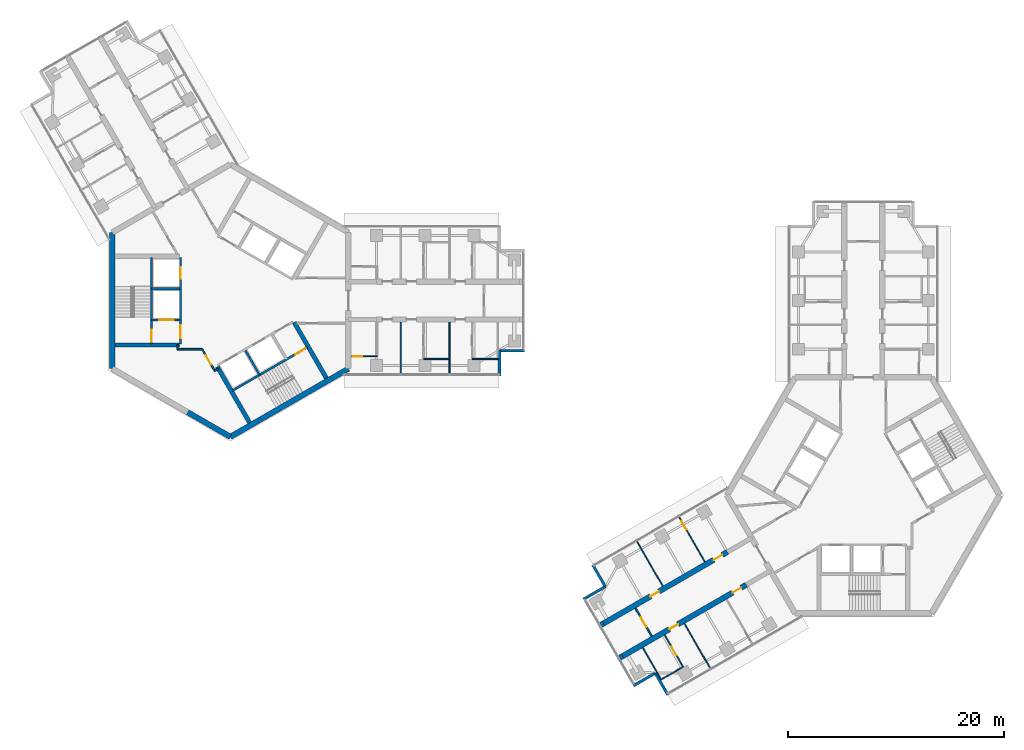
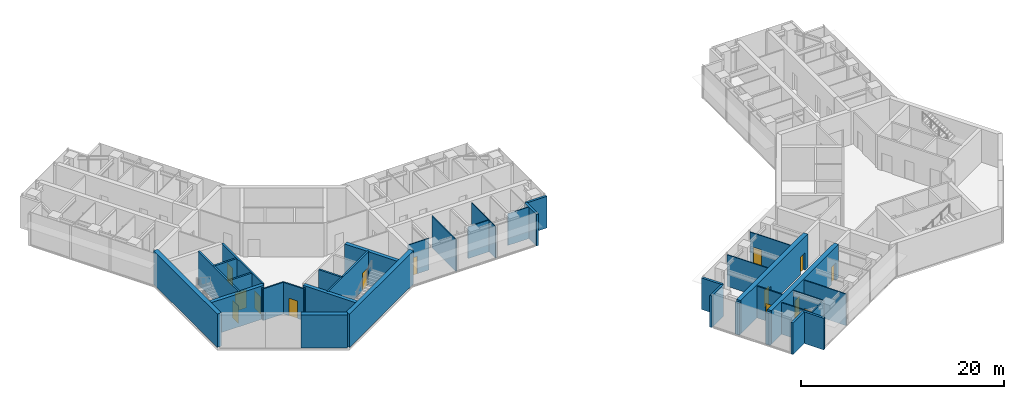
# One storey, part 11 of 17: 38 walls, 14 doors, 14 openings.
"""IFC4 building model written with IfcOpenShell, lengths in metres."""

from ifc_helpers import new_model, si_unit, direction, frame, frame_2d, origin, place, context, subcontext, project, spatial, rectangle, extrude, material, layer, layer_set, type_object, element, fill, save


model = new_model("IFC4")

# Units and contexts
model_context = context("Model", 3, precision=1e-05, world=origin(), true_north=direction((0.0, 1.0)))
body_context = subcontext(model_context, "Body", "Model", "MODEL_VIEW")
ifc_project = project(units=[si_unit("LENGTHUNIT", "METRE"), si_unit("AREAUNIT", "SQUARE_METRE"), si_unit("VOLUMEUNIT", "CUBIC_METRE"), si_unit("PLANEANGLEUNIT", "RADIAN"), si_unit("MASSUNIT", "GRAM", prefix="KILO")], contexts=[model_context])

# Site, building, storey
site_placement = place(None, origin())
site = spatial("IfcSite", under=ifc_project, at=site_placement, CompositionType="ELEMENT")
building_placement = place(site_placement, origin())
building = spatial("IfcBuilding", under=site, at=building_placement, Name="Upepo Twin Towers", CompositionType="ELEMENT")
storey_placement = place(building_placement, frame((0.0, 0.0, 230.5)))
storey = spatial("IfcBuildingStorey", under=building, at=storey_placement, Name="L56", CompositionType="ELEMENT", Elevation=230.5)

# Walls
ifc_material_1 = material(Name="Dense concrete blockwork", Category="masonry")
ifc_layer_1 = layer(ifc_material_1, 0.5)
ifc_layer_set_1 = layer_set([ifc_layer_1], Name="Buttress closer 500, blockwork with fire-stopping to the curtain wall")
wall_type_1 = type_object("IfcWallType", Name="Buttress closer 500, blockwork with fire-stopping to the curtain wall", PredefinedType="PARTITIONING", material=ifc_layer_set_1)
for number, where, z_axis, x_axis, name in (
    (1, (36.252197265625, -32.865478515625, 0.0), (0.0, 0.0, 1.0), (-0.86598763626, -0.500065409566, 0.0), "T2 L56 wing B buttress closer L"),
    (2, (34.502197265625, -29.83447265625, 0.0), (0.0, 0.0, 1.0), (-0.86598763626, -0.500065409566, 0.0), "T2 L56 wing B buttress closer R"),
):
    element("IfcWall", number, at=place(storey_placement, frame(where, z_axis=z_axis, x_axis=x_axis)), inside=storey, type_object=wall_type_1, Name=name, PredefinedType="PARTITIONING", context=body_context, shape_type="SweptSolid", body=[
        extrude(rectangle(XDim=0.28759765625, YDim=0.5, at=frame_2d((0.143798828125, 0.0))), origin(), (0.0, 0.0, 1.0), 3.800048828125),
    ])

# Wall, openings, doors
ifc_material_2 = material(Name="Concrete C60/75", Category="concrete")
ifc_layer_2 = layer(ifc_material_2, 0.5)
ifc_layer_set_2 = layer_set([ifc_layer_2], Name="Concrete C60/75")
wall_type_2 = type_object("IfcWallType", Name="Buttress wall 500 RC", PredefinedType="SHEAR", material=ifc_layer_set_2)
wall_1_placement = place(storey_placement, frame((47.68359375, -26.265625, 0.0), z_axis=(0.0, 0.0, 1.0), x_axis=(-0.866027579429, -0.499996231654, 0.0)))
wall_1 = element("IfcWall", 3, at=wall_1_placement, inside=storey, type_object=wall_type_2, Name="T2 wing B buttress wall L part 2", PredefinedType="SHEAR", context=body_context, shape_type="SweptSolid", body=[
    extrude(rectangle(XDim=13.19970703125, YDim=0.5, at=frame_2d((6.599853515625, 0.0))), origin(), (0.0, 0.0, 1.0), 4.0),
])
opening_1_placement = place(wall_1_placement, frame((0.550048828125, 0.0, 0.0)))
opening_1 = element("IfcOpeningElement", 4, at=opening_1_placement, cuts=wall_1, Name="Opening D14", PredefinedType="OPENING", context=body_context, shape_type="SweptSolid", body=[
    extrude(rectangle(XDim=0.89990234375, YDim=2.10009765625, at=frame_2d((0.449951171875, 1.050048828125))), frame((0.0, 0.260009765625, 0.0), z_axis=(0.0, -1.0, 0.0), x_axis=(1.0, 0.0, 0.0)), (0.0, 0.0, 1.0), 0.52001953125),
])
opening_2_placement = place(wall_1_placement, frame((7.300048828125, 0.0, 0.0)))
opening_2 = element("IfcOpeningElement", 5, at=opening_2_placement, cuts=wall_1, Name="Opening D14", PredefinedType="OPENING", context=body_context, shape_type="SweptSolid", body=[
    extrude(rectangle(XDim=0.89990234375, YDim=2.10009765625, at=frame_2d((0.449951171875, 1.050048828125))), frame((0.0, 0.260009765625, 0.0), z_axis=(0.0, -1.0, 0.0), x_axis=(1.0, 0.0, 0.0)), (0.0, 0.0, 1.0), 0.52001953125),
])
ifc_material_3 = material(Name="Timber doorset", Category="wood")
door_type_1 = type_object("IfcDoorType", Name="Office door 900 FD30", OperationType="SINGLE_SWING_LEFT", PredefinedType="DOOR", material=ifc_material_3)
door_1_placement = place(opening_1_placement, origin())
door_1 = element("IfcDoor", 6, at=door_1_placement, inside=storey, type_object=door_type_1, Name="T2 L56 staff office door", OperationType="SINGLE_SWING_LEFT", OverallHeight=2.10009765625, OverallWidth=0.89990234375, PredefinedType="DOOR", context=body_context, shape_type="SweptSolid", body=[
    extrude(rectangle(XDim=0.89990234375, YDim=2.10009765625, at=frame_2d((0.449951171875, 1.050048828125))), frame((0.0, 0.02490234375, 0.0), z_axis=(0.0, -1.0, 0.0), x_axis=(1.0, 0.0, 0.0)), (0.0, 0.0, 1.0), 0.050048828125),
])
fill(opening_1, door_1)
door_2_placement = place(opening_2_placement, origin())
door_2 = element("IfcDoor", 7, at=door_2_placement, inside=storey, type_object=door_type_1, Name="T2 L56 staff office door", OperationType="SINGLE_SWING_RIGHT", OverallHeight=2.10009765625, OverallWidth=0.89990234375, PredefinedType="DOOR", context=body_context, shape_type="SweptSolid", body=[
    extrude(rectangle(XDim=0.89990234375, YDim=2.10009765625, at=frame_2d((0.449951171875, 1.050048828125))), frame((0.0, 0.02490234375, 0.0), z_axis=(0.0, -1.0, 0.0), x_axis=(1.0, 0.0, 0.0)), (0.0, 0.0, 1.0), 0.050048828125),
])
fill(opening_2, door_2)

wall_2_placement = place(storey_placement, frame((45.93359375, -23.234375, 0.0), z_axis=(0.0, 0.0, 1.0), x_axis=(-0.866019570528, -0.500010103361, 0.0)))
wall_2 = element("IfcWall", 8, at=wall_2_placement, inside=storey, type_object=wall_type_2, Name="T2 wing B buttress wall R part 2", PredefinedType="SHEAR", context=body_context, shape_type="SweptSolid", body=[
    extrude(rectangle(XDim=13.199951171875, YDim=0.5, at=frame_2d((6.60009765625, 0.0))), origin(), (0.0, 0.0, 1.0), 4.0),
])
opening_3_placement = place(wall_2_placement, frame((0.550048828125, 0.0, 0.0)))
opening_3 = element("IfcOpeningElement", 9, at=opening_3_placement, cuts=wall_2, Name="Opening D14", PredefinedType="OPENING", context=body_context, shape_type="SweptSolid", body=[
    extrude(rectangle(XDim=0.89990234375, YDim=2.10009765625, at=frame_2d((0.449951171875, 1.050048828125))), frame((0.0, 0.260009765625, 0.0), z_axis=(0.0, -1.0, 0.0), x_axis=(1.0, 0.0, 0.0)), (0.0, 0.0, 1.0), 0.52001953125),
])
opening_4_placement = place(wall_2_placement, frame((7.300048828125, 0.0, 0.0)))
opening_4 = element("IfcOpeningElement", 10, at=opening_4_placement, cuts=wall_2, Name="Opening D14", PredefinedType="OPENING", context=body_context, shape_type="SweptSolid", body=[
    extrude(rectangle(XDim=0.89990234375, YDim=2.10009765625, at=frame_2d((0.449951171875, 1.050048828125))), frame((0.0, 0.260009765625, 0.0), z_axis=(0.0, -1.0, 0.0), x_axis=(1.0, 0.0, 0.0)), (0.0, 0.0, 1.0), 0.52001953125),
])
door_3_placement = place(opening_3_placement, origin())
door_3 = element("IfcDoor", 11, at=door_3_placement, inside=storey, type_object=door_type_1, Name="T2 L56 postgraduate office door", OperationType="SINGLE_SWING_LEFT", OverallHeight=2.10009765625, OverallWidth=0.89990234375, PredefinedType="DOOR", context=body_context, shape_type="SweptSolid", body=[
    extrude(rectangle(XDim=0.89990234375, YDim=2.10009765625, at=frame_2d((0.449951171875, 1.050048828125))), frame((0.0, 0.02490234375, 0.0), z_axis=(0.0, -1.0, 0.0), x_axis=(1.0, 0.0, 0.0)), (0.0, 0.0, 1.0), 0.050048828125),
])
fill(opening_3, door_3)
door_4_placement = place(opening_4_placement, origin())
door_4 = element("IfcDoor", 12, at=door_4_placement, inside=storey, type_object=door_type_1, Name="T2 L56 meeting room door", OperationType="SINGLE_SWING_RIGHT", OverallHeight=2.10009765625, OverallWidth=0.89990234375, PredefinedType="DOOR", context=body_context, shape_type="SweptSolid", body=[
    extrude(rectangle(XDim=0.89990234375, YDim=2.10009765625, at=frame_2d((0.449951171875, 1.050048828125))), frame((0.0, 0.02490234375, 0.0), z_axis=(0.0, -1.0, 0.0), x_axis=(1.0, 0.0, 0.0)), (0.0, 0.0, 1.0), 0.050048828125),
])
fill(opening_4, door_4)

# Walls
ifc_material_4 = material(Name="Concrete C60/75", Category="concrete")
ifc_layer_3 = layer(ifc_material_4, 0.5)
ifc_layer_set_3 = layer_set([ifc_layer_3], Name="Concrete C60/75")
wall_type_3 = type_object("IfcWallType", Name="Core wall 500 RC", PredefinedType="SHEAR", material=ifc_layer_set_3)
wall_3_placement = place(storey_placement, frame((-10.908447265625, 6.2978515625, 0.0), z_axis=(0.0, 0.0, 1.0), x_axis=(0.0, -1.0, 0.0)))
element("IfcWall", 13, at=wall_3_placement, inside=storey, type_object=wall_type_3, Name="T1 core wall 180", PredefinedType="SHEAR", context=body_context, shape_type="SweptSolid", body=[
    extrude(rectangle(XDim=12.595703125, YDim=0.5, at=frame_2d((6.2978515625, 0.0))), origin(), (0.0, 0.0, 1.0), 4.0),
])
wall_4_placement = place(storey_placement, frame((-3.938720703125, -10.32177734375, 0.0), z_axis=(0.0, 0.0, 1.0), x_axis=(0.866011268655, -0.500024481964, 0.0)))
element("IfcWall", 14, at=wall_4_placement, inside=storey, type_object=wall_type_3, Name="T1 core wall 240 L", PredefinedType="SHEAR", context=body_context, shape_type="SweptSolid", body=[
    extrude(rectangle(XDim=4.548095703125, YDim=0.5, at=frame_2d((2.27392578125, 0.0))), origin(), (0.0, 0.0, 1.0), 4.0),
])
wall_5_placement = place(storey_placement, frame((0.0, -12.595947265625, 0.0), z_axis=(0.0, 0.0, 1.0), x_axis=(0.866021940709, 0.500005998175, 0.0)))
element("IfcWall", 15, at=wall_5_placement, inside=storey, type_object=wall_type_3, Name="T1 core wall 300", PredefinedType="SHEAR", context=body_context, shape_type="SweptSolid", body=[
    extrude(rectangle(XDim=12.595947265625, YDim=0.5, at=frame_2d((6.2978515625, 0.0))), origin(), (0.0, 0.0, 1.0), 4.0),
])
ifc_material_5 = material(Name="Blockwork with anodised aluminium cladding", Category="masonry")
ifc_layer_4 = layer(ifc_material_5, 0.25)
ifc_layer_set_4 = layer_set([ifc_layer_4], Name="Notch cladding wall 250, pale metal")
wall_type_4 = type_object("IfcWallType", Name="Notch cladding wall 250, pale metal", PredefinedType="STANDARD", material=ifc_layer_set_4)
for number, where, z_axis, x_axis, name in (
    (16, (24.875, -6.949951171875, 0.0), (0.0, 0.0, 1.0), (0.0, 1.0, 0.0), "T1 L56 wing A notch wall R1"),
    (17, (24.875, -4.625, 0.0), (0.0, 0.0, 1.0), (1.0, 0.0, 0.0), "T1 L56 wing A notch wall R2"),
    (18, (40.4326171875, -36.456298828125, 0.0), (0.0, 0.0, 1.0), (-0.500046648681, 0.865998469481, 0.0), "T2 L56 wing B notch wall L1"),
    (19, (39.27001953125, -34.44287109375, 0.0), (0.0, 0.0, 1.0), (-0.865998469481, -0.500046648681, 0.0), "T2 L56 wing B notch wall L2"),
    (20, (33.482666015625, -24.418701171875, 0.0), (0.0, 0.0, 1.0), (0.499967891604, -0.866043940782, 0.0), "T2 L56 wing B notch wall R1"),
    (21, (34.64501953125, -26.43212890625, 0.0), (0.0, 0.0, 1.0), (-0.865998469481, -0.500046648681, 0.0), "T2 L56 wing B notch wall R2"),
):
    element("IfcWall", number, at=place(storey_placement, frame(where, z_axis=z_axis, x_axis=x_axis)), inside=storey, type_object=wall_type_4, Name=name, PredefinedType="STANDARD", context=body_context, shape_type="SweptSolid", body=[
        extrude(rectangle(XDim=2.324951171875, YDim=0.25, at=frame_2d((1.16259765625, 0.0))), origin(), (0.0, 0.0, 1.0), 3.800048828125),
    ])
ifc_material_6 = material(Name="Gypsum board on steel studs", Category="steel")
ifc_layer_5 = layer(ifc_material_6, 0.10009765625)
ifc_layer_set_5 = layer_set([ifc_layer_5], Name="Office partition 100 stud")
wall_type_5 = type_object("IfcWallType", Name="Office partition 100 stud", PredefinedType="PARTITIONING", material=ifc_layer_set_5)
for number, where, z_axis, x_axis, name in (
    (22, (15.75, -2.0, 0.0), (0.0, 0.0, 1.0), (0.0, -1.0, 0.0), "T1 partition AR at 15.75"),
    (23, (20.25, -2.0, 0.0), (0.0, 0.0, 1.0), (0.0, -1.0, 0.0), "T1 partition AR at 20.25"),
):
    element("IfcWall", number, at=place(storey_placement, frame(where, z_axis=z_axis, x_axis=x_axis)), inside=storey, type_object=wall_type_5, Name=name, PredefinedType="PARTITIONING", context=body_context, shape_type="SweptSolid", body=[
        extrude(rectangle(XDim=4.75, YDim=0.10009765625, at=frame_2d((2.375, 0.0))), origin(), (0.0, 0.0, 1.0), 3.800048828125),
    ])
for number, where, z_axis, x_axis, name in (
    (24, (17.85009765625, -5.39990234375, 0.0), (0.0, 0.0, 1.0), (1.0, 0.0, 0.0), "T1 inner room partition AR at 17.85"),
    (25, (22.35009765625, -5.39990234375, 0.0), (0.0, 0.0, 1.0), (1.0, 0.0, 0.0), "T1 inner room partition AR at 22.35"),
):
    element("IfcWall", number, at=place(storey_placement, frame(where, z_axis=z_axis, x_axis=x_axis)), inside=storey, type_object=wall_type_5, Name=name, PredefinedType="PARTITIONING", context=body_context, shape_type="SweptSolid", body=[
        extrude(rectangle(XDim=2.39990234375, YDim=0.10009765625, at=frame_2d((1.199951171875, 0.0))), origin(), (0.0, 0.0, 1.0), 3.800048828125),
    ])

# Wall, opening, door
wall_6_placement = place(storey_placement, frame((11.157958984375, -5.14990234375, 0.0), z_axis=(0.0, 0.0, 1.0), x_axis=(1.0, 0.0, 0.0)))
wall_6 = element("IfcWall", 26, at=wall_6_placement, inside=storey, type_object=wall_type_5, Name="T1 WC bay partition AR at 11.16", PredefinedType="PARTITIONING", context=body_context, shape_type="SweptSolid", body=[
    extrude(rectangle(XDim=2.400146484375, YDim=0.10009765625, at=frame_2d((1.2001953125, 0.0))), origin(), (0.0, 0.0, 1.0), 3.800048828125),
])
opening_5_placement = place(wall_6_placement, frame((0.14990234375, 0.0, 0.0)))
opening_5 = element("IfcOpeningElement", 27, at=opening_5_placement, cuts=wall_6, Name="Opening D14", PredefinedType="OPENING", context=body_context, shape_type="SweptSolid", body=[
    extrude(rectangle(XDim=0.89990234375, YDim=2.10009765625, at=frame_2d((0.449951171875, 1.050048828125))), frame((0.0, 0.06005859375, 0.0), z_axis=(0.0, -1.0, 0.0), x_axis=(1.0, 0.0, 0.0)), (0.0, 0.0, 1.0), 0.1201171875),
])
door_5_placement = place(opening_5_placement, origin())
door_5 = element("IfcDoor", 28, at=door_5_placement, inside=storey, type_object=door_type_1, Name="T1 L56 WC bay inner room door", OperationType="SINGLE_SWING_LEFT", OverallHeight=2.10009765625, OverallWidth=0.89990234375, PredefinedType="DOOR", context=body_context, shape_type="SweptSolid", body=[
    extrude(rectangle(XDim=0.89990234375, YDim=2.10009765625, at=frame_2d((0.449951171875, 1.050048828125))), frame((0.0, 0.02490234375, 0.0), z_axis=(0.0, -1.0, 0.0), x_axis=(1.0, 0.0, 0.0)), (0.0, 0.0, 1.0), 0.050048828125),
])
fill(opening_5, door_5)

# Walls
wall_7_placement = place(storey_placement, frame((41.962890625, -29.85693359375, 0.0), z_axis=(0.0, 0.0, 1.0), x_axis=(0.499986429846, -0.866033238375, 0.0)))
element("IfcWall", 29, at=wall_7_placement, inside=storey, type_object=wall_type_5, Name="T2 partition BL at 20.25", PredefinedType="PARTITIONING", context=body_context, shape_type="SweptSolid", body=[
    extrude(rectangle(XDim=4.750244140625, YDim=0.10009765625, at=frame_2d((2.375, 0.0))), origin(), (0.0, 0.0, 1.0), 3.800048828125),
])
wall_8_placement = place(storey_placement, frame((41.84423828125, -33.8515625, 0.0), z_axis=(0.0, 0.0, 1.0), x_axis=(-0.866024647952, -0.500001309137, 0.0)))
element("IfcWall", 30, at=wall_8_placement, inside=storey, type_object=wall_type_5, Name="T2 inner room partition BL at 22.35", PredefinedType="PARTITIONING", context=body_context, shape_type="SweptSolid", body=[
    extrude(rectangle(XDim=2.39990234375, YDim=0.10009765625, at=frame_2d((1.199951171875, 0.0))), origin(), (0.0, 0.0, 1.0), 3.800048828125),
])

# Wall, opening, door
wall_9_placement = place(storey_placement, frame((40.144287109375, -30.906982421875, 0.0), z_axis=(0.0, 0.0, 1.0), x_axis=(0.499977295307, -0.866038511948, 0.0)))
wall_9 = element("IfcWall", 31, at=wall_9_placement, inside=storey, type_object=wall_type_5, Name="T2 inner room partition BL end at 22.35", PredefinedType="PARTITIONING", context=body_context, shape_type="SweptSolid", body=[
    extrude(rectangle(XDim=3.400146484375, YDim=0.10009765625, at=frame_2d((1.7001953125, 0.0))), origin(), (0.0, 0.0, 1.0), 3.800048828125),
])
opening_6_placement = place(wall_9_placement, frame((1.25, 0.0, 0.0)))
opening_6 = element("IfcOpeningElement", 32, at=opening_6_placement, cuts=wall_9, Name="Opening D14", PredefinedType="OPENING", context=body_context, shape_type="SweptSolid", body=[
    extrude(rectangle(XDim=0.89990234375, YDim=2.10009765625, at=frame_2d((0.449951171875, 1.050048828125))), frame((0.0, 0.06005859375, 0.0), z_axis=(0.0, -1.0, 0.0), x_axis=(1.0, 0.0, 0.0)), (0.0, 0.0, 1.0), 0.1201171875),
])
door_6_placement = place(opening_6_placement, origin())
door_6 = element("IfcDoor", 33, at=door_6_placement, inside=storey, type_object=door_type_1, Name="T2 L56 inner room door", OperationType="SINGLE_SWING_LEFT", OverallHeight=2.10009765625, OverallWidth=0.89990234375, PredefinedType="DOOR", context=body_context, shape_type="SweptSolid", body=[
    extrude(rectangle(XDim=0.89990234375, YDim=2.10009765625, at=frame_2d((0.449951171875, 1.050048828125))), frame((0.0, 0.02490234375, 0.0), z_axis=(0.0, -1.0, 0.0), x_axis=(1.0, 0.0, 0.0)), (0.0, 0.0, 1.0), 0.050048828125),
])
fill(opening_6, door_6)

# Wall
wall_10_placement = place(storey_placement, frame((38.109130859375, -32.08203125, 0.0), z_axis=(0.0, 0.0, 1.0), x_axis=(0.499977295307, -0.866038511948, 0.0)))
element("IfcWall", 34, at=wall_10_placement, inside=storey, type_object=wall_type_5, Name="T2 inner room partition BL end at 24.75", PredefinedType="PARTITIONING", context=body_context, shape_type="SweptSolid", body=[
    extrude(rectangle(XDim=3.400146484375, YDim=0.10009765625, at=frame_2d((1.7001953125, 0.0))), origin(), (0.0, 0.0, 1.0), 3.800048828125),
])

# Wall, opening, door
wall_11_placement = place(storey_placement, frame((43.860107421875, -24.14306640625, 0.0), z_axis=(0.0, 0.0, 1.0), x_axis=(-0.499986429846, 0.866033238375, 0.0)))
wall_11 = element("IfcWall", 35, at=wall_11_placement, inside=storey, type_object=wall_type_5, Name="T2 partition BR at 15.75", PredefinedType="PARTITIONING", context=body_context, shape_type="SweptSolid", body=[
    extrude(rectangle(XDim=4.750244140625, YDim=0.10009765625, at=frame_2d((2.375, 0.0))), origin(), (0.0, 0.0, 1.0), 3.800048828125),
])
opening_7_placement = place(wall_11_placement, frame((3.449951171875, 0.0, 0.0)))
opening_7 = element("IfcOpeningElement", 36, at=opening_7_placement, cuts=wall_11, Name="Opening D14", PredefinedType="OPENING", context=body_context, shape_type="SweptSolid", body=[
    extrude(rectangle(XDim=0.89990234375, YDim=2.10009765625, at=frame_2d((0.449951171875, 1.050048828125))), frame((0.0, 0.06005859375, 0.0), z_axis=(0.0, -1.0, 0.0), x_axis=(1.0, 0.0, 0.0)), (0.0, 0.0, 1.0), 0.1201171875),
])
door_7_placement = place(opening_7_placement, origin())
door_7 = element("IfcDoor", 37, at=door_7_placement, inside=storey, type_object=door_type_1, Name="T2 L56 connecting door", OperationType="SINGLE_SWING_RIGHT", OverallHeight=2.10009765625, OverallWidth=0.89990234375, PredefinedType="DOOR", context=body_context, shape_type="SweptSolid", body=[
    extrude(rectangle(XDim=0.89990234375, YDim=2.10009765625, at=frame_2d((0.449951171875, 1.050048828125))), frame((0.0, 0.02490234375, 0.0), z_axis=(0.0, -1.0, 0.0), x_axis=(1.0, 0.0, 0.0)), (0.0, 0.0, 1.0), 0.050048828125),
])
fill(opening_7, door_7)

# Wall
wall_12_placement = place(storey_placement, frame((39.962890625, -26.39306640625, 0.0), z_axis=(0.0, 0.0, 1.0), x_axis=(-0.499986429846, 0.866033238375, 0.0)))
element("IfcWall", 38, at=wall_12_placement, inside=storey, type_object=wall_type_5, Name="T2 partition BR at 20.25", PredefinedType="PARTITIONING", context=body_context, shape_type="SweptSolid", body=[
    extrude(rectangle(XDim=4.750244140625, YDim=0.10009765625, at=frame_2d((2.375, 0.0))), origin(), (0.0, 0.0, 1.0), 3.800048828125),
])

# Wall, openings, doors
ifc_material_7 = material(Name="Concrete C40/50", Category="concrete")
ifc_layer_6 = layer(ifc_material_7, 0.199951171875)
ifc_layer_set_6 = layer_set([ifc_layer_6], Name="Concrete C40/50")
wall_type_6 = type_object("IfcWallType", Name="Shaft wall 200 RC", PredefinedType="SHEAR", material=ifc_layer_set_6)
wall_13_placement = place(storey_placement, frame((-4.60009765625, 4.0, 0.0), z_axis=(0.0, 0.0, 1.0), x_axis=(0.0, -1.0, 0.0)))
wall_13 = element("IfcWall", 39, at=wall_13_placement, inside=storey, type_object=wall_type_6, Name="T1 core W180 front wall", PredefinedType="SHEAR", context=body_context, shape_type="SweptSolid", body=[
    extrude(rectangle(XDim=8.0, YDim=0.199951171875, at=frame_2d((4.0, 0.0))), origin(), (0.0, 0.0, 1.0), 4.0),
])
opening_8_placement = place(wall_13_placement, frame((6.300048828125, 0.0, 0.0)))
opening_8 = element("IfcOpeningElement", 40, at=opening_8_placement, cuts=wall_13, Name="Opening D4", PredefinedType="OPENING", context=body_context, shape_type="SweptSolid", body=[
    extrude(rectangle(XDim=1.199951171875, YDim=2.10009765625, at=frame_2d((0.60009765625, 1.050048828125))), frame((0.0, 0.10986328125, 0.0), z_axis=(0.0, -1.0, 0.0), x_axis=(1.0, 0.0, 0.0)), (0.0, 0.0, 1.0), 0.219970703125),
])
opening_9_placement = place(wall_13_placement, frame((0.89990234375, 0.0, 0.0)))
opening_9 = element("IfcOpeningElement", 41, at=opening_9_placement, cuts=wall_13, Name="Opening LD1", PredefinedType="OPENING", context=body_context, shape_type="SweptSolid", body=[
    extrude(rectangle(XDim=1.10009765625, YDim=2.199951171875, at=frame_2d((0.550048828125, 1.10009765625))), frame((0.0, 0.10986328125, 0.0), z_axis=(0.0, -1.0, 0.0), x_axis=(1.0, 0.0, 0.0)), (0.0, 0.0, 1.0), 0.219970703125),
])
ifc_material_8 = material(Name="Steel doorset", Category="steel")
door_type_2 = type_object("IfcDoorType", Name="Lift landing door 1100", OperationType="DOUBLE_DOOR_SLIDING", PredefinedType="DOOR", material=ifc_material_8)
door_8_placement = place(opening_9_placement, origin())
door_8 = element("IfcDoor", 42, at=door_8_placement, inside=storey, type_object=door_type_2, Name="T1 L56 lift SV1 landing door", OperationType="DOUBLE_DOOR_SLIDING", OverallHeight=2.199951171875, OverallWidth=1.10009765625, PredefinedType="DOOR", context=body_context, shape_type="SweptSolid", body=[
    extrude(rectangle(XDim=1.10009765625, YDim=2.199951171875, at=frame_2d((0.550048828125, 1.10009765625))), frame((0.0, 0.02490234375, 0.0), z_axis=(0.0, -1.0, 0.0), x_axis=(1.0, 0.0, 0.0)), (0.0, 0.0, 1.0), 0.050048828125),
])
fill(opening_9, door_8)
ifc_material_9 = material(Name="Timber doorset", Category="wood")
door_type_3 = type_object("IfcDoorType", Name="Lobby door 1200 FD60", OperationType="SINGLE_SWING_LEFT", PredefinedType="DOOR", material=ifc_material_9)
door_9_placement = place(opening_8_placement, origin())
door_9 = element("IfcDoor", 43, at=door_9_placement, inside=storey, type_object=door_type_3, Name="T1 L56 W180 lobby door", OperationType="SINGLE_SWING_RIGHT", OverallHeight=2.10009765625, OverallWidth=1.199951171875, PredefinedType="DOOR", context=body_context, shape_type="SweptSolid", body=[
    extrude(rectangle(XDim=1.199951171875, YDim=2.10009765625, at=frame_2d((0.60009765625, 1.050048828125))), frame((0.0, 0.02490234375, 0.0), z_axis=(0.0, -1.0, 0.0), x_axis=(1.0, 0.0, 0.0)), (0.0, 0.0, 1.0), 0.050048828125),
])
fill(opening_8, door_9)

# Wall
wall_14_placement = place(storey_placement, frame((-4.699951171875, 1.10009765625, 0.0), z_axis=(0.0, 0.0, 1.0), x_axis=(-1.0, 0.0, 0.0)))
element("IfcWall", 44, at=wall_14_placement, inside=storey, type_object=wall_type_6, Name="T1 core W180 shaft divider", PredefinedType="SHEAR", context=body_context, shape_type="SweptSolid", body=[
    extrude(rectangle(XDim=2.60009765625, YDim=0.199951171875, at=frame_2d((1.300048828125, 0.0))), origin(), (0.0, 0.0, 1.0), 4.0),
])

# Wall, opening, door
wall_15_placement = place(storey_placement, frame((-4.699951171875, -1.800048828125, 0.0), z_axis=(0.0, 0.0, 1.0), x_axis=(-1.0, 0.0, 0.0)))
wall_15 = element("IfcWall", 45, at=wall_15_placement, inside=storey, type_object=wall_type_6, Name="T1 core W180 lobby wall", PredefinedType="SHEAR", context=body_context, shape_type="SweptSolid", body=[
    extrude(rectangle(XDim=2.60009765625, YDim=0.199951171875, at=frame_2d((1.300048828125, 0.0))), origin(), (0.0, 0.0, 1.0), 4.0),
])
opening_10_placement = place(wall_15_placement, frame((0.550048828125, 0.0, 0.0)))
opening_10 = element("IfcOpeningElement", 46, at=opening_10_placement, cuts=wall_15, Name="Opening LD2", PredefinedType="OPENING", context=body_context, shape_type="SweptSolid", body=[
    extrude(rectangle(XDim=1.300048828125, YDim=2.199951171875, at=frame_2d((0.64990234375, 1.10009765625))), frame((0.0, 0.10986328125, 0.0), z_axis=(0.0, -1.0, 0.0), x_axis=(1.0, 0.0, 0.0)), (0.0, 0.0, 1.0), 0.219970703125),
])
ifc_material_10 = material(Name="Steel doorset", Category="steel")
door_type_4 = type_object("IfcDoorType", Name="Firefighting lift landing door 1300", OperationType="DOUBLE_DOOR_SLIDING", PredefinedType="DOOR", material=ifc_material_10)
door_10_placement = place(opening_10_placement, origin())
door_10 = element("IfcDoor", 47, at=door_10_placement, inside=storey, type_object=door_type_4, Name="T1 L56 firefighting lift landing door", OperationType="DOUBLE_DOOR_SLIDING", OverallHeight=2.199951171875, OverallWidth=1.300048828125, PredefinedType="DOOR", context=body_context, shape_type="SweptSolid", body=[
    extrude(rectangle(XDim=1.300048828125, YDim=2.199951171875, at=frame_2d((0.64990234375, 1.10009765625))), frame((0.0, 0.02490234375, 0.0), z_axis=(0.0, -1.0, 0.0), x_axis=(1.0, 0.0, 0.0)), (0.0, 0.0, 1.0), 0.050048828125),
])
fill(opening_10, door_10)

wall_16_placement = place(storey_placement, frame((-7.300048828125, 4.0, 0.0), z_axis=(0.0, 0.0, 1.0), x_axis=(0.0, -1.0, 0.0)))
wall_16 = element("IfcWall", 48, at=wall_16_placement, inside=storey, type_object=wall_type_6, Name="T1 core W180 stair wall", PredefinedType="SHEAR", context=body_context, shape_type="SweptSolid", body=[
    extrude(rectangle(XDim=8.0, YDim=0.199951171875, at=frame_2d((4.0, 0.0))), origin(), (0.0, 0.0, 1.0), 4.0),
])
opening_11_placement = place(wall_16_placement, frame((6.699951171875, 0.0, 0.0)))
opening_11 = element("IfcOpeningElement", 49, at=opening_11_placement, cuts=wall_16, Name="Opening D3", PredefinedType="OPENING", context=body_context, shape_type="SweptSolid", body=[
    extrude(rectangle(XDim=1.10009765625, YDim=2.10009765625, at=frame_2d((0.550048828125, 1.050048828125))), frame((0.0, 0.10986328125, 0.0), z_axis=(0.0, -1.0, 0.0), x_axis=(1.0, 0.0, 0.0)), (0.0, 0.0, 1.0), 0.219970703125),
])
ifc_material_11 = material(Name="Timber doorset", Category="wood")
door_type_5 = type_object("IfcDoorType", Name="Stair door 1100 FD60", OperationType="SINGLE_SWING_LEFT", PredefinedType="DOOR", material=ifc_material_11)
door_11_placement = place(opening_11_placement, origin())
door_11 = element("IfcDoor", 50, at=door_11_placement, inside=storey, type_object=door_type_5, Name="T1 L56 stair door", OperationType="SINGLE_SWING_RIGHT", OverallHeight=2.10009765625, OverallWidth=1.10009765625, PredefinedType="DOOR", context=body_context, shape_type="SweptSolid", body=[
    extrude(rectangle(XDim=1.10009765625, YDim=2.10009765625, at=frame_2d((0.550048828125, 1.050048828125))), frame((0.0, 0.02490234375, 0.0), z_axis=(0.0, -1.0, 0.0), x_axis=(1.0, 0.0, 0.0)), (0.0, 0.0, 1.0), 0.050048828125),
])
fill(opening_11, door_11)

# Wall
wall_17_placement = place(storey_placement, frame((1.3974609375, -4.620361328125, 0.0), z_axis=(0.0, 0.0, 1.0), x_axis=(0.499936506574, -0.866062058628, 0.0)))
element("IfcWall", 51, at=wall_17_placement, inside=storey, type_object=wall_type_6, Name="T1 core W300 shaft divider", PredefinedType="SHEAR", context=body_context, shape_type="SweptSolid", body=[
    extrude(rectangle(XDim=2.599853515625, YDim=0.199951171875, at=frame_2d((1.2998046875, 0.0))), origin(), (0.0, 0.0, 1.0), 4.0),
])

# Wall, opening, door
wall_18_placement = place(storey_placement, frame((0.185791015625, -8.322021484375, 0.0), z_axis=(0.0, 0.0, 1.0), x_axis=(0.866026010844, 0.49999894854, 0.0)))
wall_18 = element("IfcWall", 52, at=wall_18_placement, inside=storey, type_object=wall_type_6, Name="T1 core W300 stair wall", PredefinedType="SHEAR", context=body_context, shape_type="SweptSolid", body=[
    extrude(rectangle(XDim=8.0, YDim=0.199951171875, at=frame_2d((4.0, 0.0))), origin(), (0.0, 0.0, 1.0), 4.0),
])
opening_12_placement = place(wall_18_placement, frame((6.699951171875, 0.0, 0.0)))
opening_12 = element("IfcOpeningElement", 53, at=opening_12_placement, cuts=wall_18, Name="Opening D3", PredefinedType="OPENING", context=body_context, shape_type="SweptSolid", body=[
    extrude(rectangle(XDim=1.10009765625, YDim=2.10009765625, at=frame_2d((0.550048828125, 1.050048828125))), frame((0.0, 0.10986328125, 0.0), z_axis=(0.0, -1.0, 0.0), x_axis=(1.0, 0.0, 0.0)), (0.0, 0.0, 1.0), 0.219970703125),
])
door_12_placement = place(opening_12_placement, origin())
door_12 = element("IfcDoor", 54, at=door_12_placement, inside=storey, type_object=door_type_5, Name="T1 L56 stair door", OperationType="SINGLE_SWING_RIGHT", OverallHeight=2.10009765625, OverallWidth=1.10009765625, PredefinedType="DOOR", context=body_context, shape_type="SweptSolid", body=[
    extrude(rectangle(XDim=1.10009765625, YDim=2.10009765625, at=frame_2d((0.550048828125, 1.050048828125))), frame((0.0, 0.02490234375, 0.0), z_axis=(0.0, -1.0, 0.0), x_axis=(1.0, 0.0, 0.0)), (0.0, 0.0, 1.0), 0.050048828125),
])
fill(opening_12, door_12)

# Walls
ifc_material_12 = material(Name="Concrete C40/50", Category="concrete")
ifc_layer_7 = layer(ifc_material_12, 0.39990234375)
ifc_layer_set_7 = layer_set([ifc_layer_7], Name="Concrete C40/50")
wall_type_7 = type_object("IfcWallType", Name="Shaft wall 400 RC", PredefinedType="SHEAR", material=ifc_layer_set_7)
for number, where, z_axis, x_axis, name in (
    (55, (-4.699951171875, -4.10009765625, 0.0), (0.0, 0.0, 1.0), (-1.0, 0.0, 0.0), "T1 core W180 side wall N"),
    (56, (5.900634765625, -2.020263671875, 0.0), (0.0, 0.0, 1.0), (0.500003832394, -0.86602319114, 0.0), "T1 core W300 side wall N"),
):
    element("IfcWall", number, at=place(storey_placement, frame(where, z_axis=z_axis, x_axis=x_axis)), inside=storey, type_object=wall_type_7, Name=name, PredefinedType="SHEAR", context=body_context, shape_type="SweptSolid", body=[
        extrude(rectangle(XDim=5.95849609375, YDim=0.39990234375, at=frame_2d((2.979248046875, 0.0))), origin(), (0.0, 0.0, 1.0), 4.0),
    ])
wall_19_placement = place(storey_placement, frame((-1.20068359375, -6.120361328125, 0.0), z_axis=(0.0, 0.0, 1.0), x_axis=(0.500021575205, -0.866012946976, 0.0)))
element("IfcWall", 57, at=wall_19_placement, inside=storey, type_object=wall_type_7, Name="T1 core W300 side wall S", PredefinedType="SHEAR", context=body_context, shape_type="SweptSolid", body=[
    extrude(rectangle(XDim=5.958251953125, YDim=0.39990234375, at=frame_2d((2.97900390625, 0.0))), origin(), (0.0, 0.0, 1.0), 4.0),
])

# Wall, opening, door
ifc_material_13 = material(Name="Gypsum board on steel studs", Category="steel")
ifc_layer_8 = layer(ifc_material_13, 0.14990234375)
ifc_layer_set_8 = layer_set([ifc_layer_8], Name="Teaching partition 150 acoustic")
wall_type_8 = type_object("IfcWallType", Name="Teaching partition 150 acoustic", PredefinedType="PARTITIONING", material=ifc_layer_set_8)
wall_20_placement = place(storey_placement, frame((-1.43701171875, -6.5107421875, 0.0), z_axis=(0.0, 0.0, 1.0), x_axis=(-0.500074377092, 0.865982457891, 0.0)))
wall_20 = element("IfcWall", 58, at=wall_20_placement, inside=storey, type_object=wall_type_8, Name="T1 core room partition 1", PredefinedType="PARTITIONING", context=body_context, shape_type="SweptSolid", body=[
    extrude(rectangle(XDim=2.342041015625, YDim=0.14990234375, at=frame_2d((1.1708984375, 0.0))), origin(), (0.0, 0.0, 1.0), 3.800048828125),
])
opening_13_placement = place(wall_20_placement, frame((0.6708984375, 0.0, 0.0)))
opening_13 = element("IfcOpeningElement", 59, at=opening_13_placement, cuts=wall_20, Name="Opening D1", PredefinedType="OPENING", context=body_context, shape_type="SweptSolid", body=[
    extrude(rectangle(XDim=1.0, YDim=2.10009765625, at=frame_2d((0.5, 1.050048828125))), frame((0.0, 0.0849609375, 0.0), z_axis=(0.0, -1.0, 0.0), x_axis=(1.0, 0.0, 0.0)), (0.0, 0.0, 1.0), 0.169921875),
])
ifc_material_14 = material(Name="Timber doorset", Category="wood")
door_type_6 = type_object("IfcDoorType", Name="Room door 1000 FD30", OperationType="SINGLE_SWING_LEFT", PredefinedType="DOOR", material=ifc_material_14)
door_13_placement = place(opening_13_placement, origin())
door_13 = element("IfcDoor", 60, at=door_13_placement, inside=storey, type_object=door_type_6, Name="T1 L56 core room door K1", OperationType="SINGLE_SWING_RIGHT", OverallHeight=2.10009765625, OverallWidth=1.0, PredefinedType="DOOR", context=body_context, shape_type="SweptSolid", body=[
    extrude(rectangle(XDim=1.0, YDim=2.10009765625, at=frame_2d((0.5, 1.050048828125))), frame((0.0, 0.02490234375, 0.0), z_axis=(0.0, -1.0, 0.0), x_axis=(1.0, 0.0, 0.0)), (0.0, 0.0, 1.0), 0.050048828125),
])
fill(opening_13, door_13)

# Walls
wall_21_placement = place(storey_placement, frame((-2.578125, -4.5, 0.0), z_axis=(0.0, 0.0, 1.0), x_axis=(-1.0, 0.0, 0.0)))
element("IfcWall", 61, at=wall_21_placement, inside=storey, type_object=wall_type_8, Name="T1 core room partition 2", PredefinedType="PARTITIONING", context=body_context, shape_type="SweptSolid", body=[
    extrude(rectangle(XDim=2.341796875, YDim=0.14990234375, at=frame_2d((1.1708984375, 0.0))), origin(), (0.0, 0.0, 1.0), 3.800048828125),
])
for number, where, z_axis, x_axis, name in (
    (62, (-4.89990234375, -4.52001953125, 0.0), (0.0, 0.0, 1.0), (0.0, 1.0, 0.0), "T1 core room partition 3"),
    (63, (-1.092041015625, -6.28857421875, 0.0), (0.0, 0.0, 1.0), (-0.866138304741, -0.499804398801, 0.0), "T1 core room partition 8"),
):
    element("IfcWall", number, at=place(storey_placement, frame(where, z_axis=z_axis, x_axis=x_axis)), inside=storey, type_object=wall_type_8, Name=name, PredefinedType="PARTITIONING", context=body_context, shape_type="SweptSolid", body=[
        extrude(rectangle(XDim=0.429931640625, YDim=0.14990234375, at=frame_2d((0.21484375, 0.0))), origin(), (0.0, 0.0, 1.0), 3.800048828125),
    ])

# Wall, opening, door
wall_22_placement = place(storey_placement, frame((37.441650390625, -28.426025390625, 0.0), z_axis=(0.0, 0.0, 1.0), x_axis=(0.50002537861, -0.866010750942, 0.0)))
wall_22 = element("IfcWall", 64, at=wall_22_placement, inside=storey, type_object=wall_type_8, Name="T2 corridor end partition B at 23.45", PredefinedType="PARTITIONING", context=body_context, shape_type="SweptSolid", body=[
    extrude(rectangle(XDim=2.999755859375, YDim=0.14990234375, at=frame_2d((1.5, 0.0))), origin(), (0.0, 0.0, 1.0), 3.800048828125),
])
opening_14_placement = place(wall_22_placement, frame((1.0, 0.0, 0.0)))
opening_14 = element("IfcOpeningElement", 65, at=opening_14_placement, cuts=wall_22, Name="Opening D1", PredefinedType="OPENING", context=body_context, shape_type="SweptSolid", body=[
    extrude(rectangle(XDim=1.0, YDim=2.10009765625, at=frame_2d((0.5, 1.050048828125))), frame((0.0, 0.0849609375, 0.0), z_axis=(0.0, -1.0, 0.0), x_axis=(1.0, 0.0, 0.0)), (0.0, 0.0, 1.0), 0.169921875),
])
door_14_placement = place(opening_14_placement, origin())
door_14 = element("IfcDoor", 66, at=door_14_placement, inside=storey, type_object=door_type_6, Name="T2 L56 breakout study room door", OperationType="SINGLE_SWING_RIGHT", OverallHeight=2.10009765625, OverallWidth=1.0, PredefinedType="DOOR", context=body_context, shape_type="SweptSolid", body=[
    extrude(rectangle(XDim=1.0, YDim=2.10009765625, at=frame_2d((0.5, 1.050048828125))), frame((0.0, 0.02490234375, 0.0), z_axis=(0.0, -1.0, 0.0), x_axis=(1.0, 0.0, 0.0)), (0.0, 0.0, 1.0), 0.050048828125),
])
fill(opening_14, door_14)

save(model, "model.ifc")
